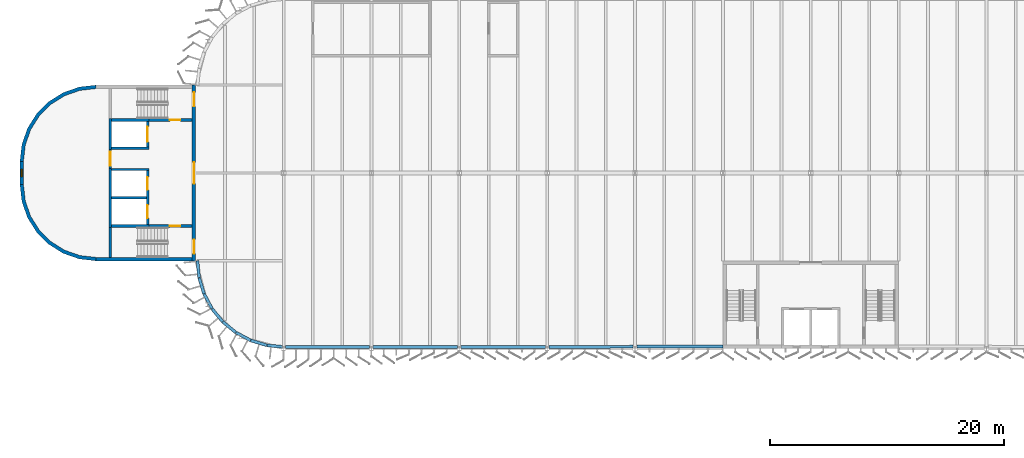
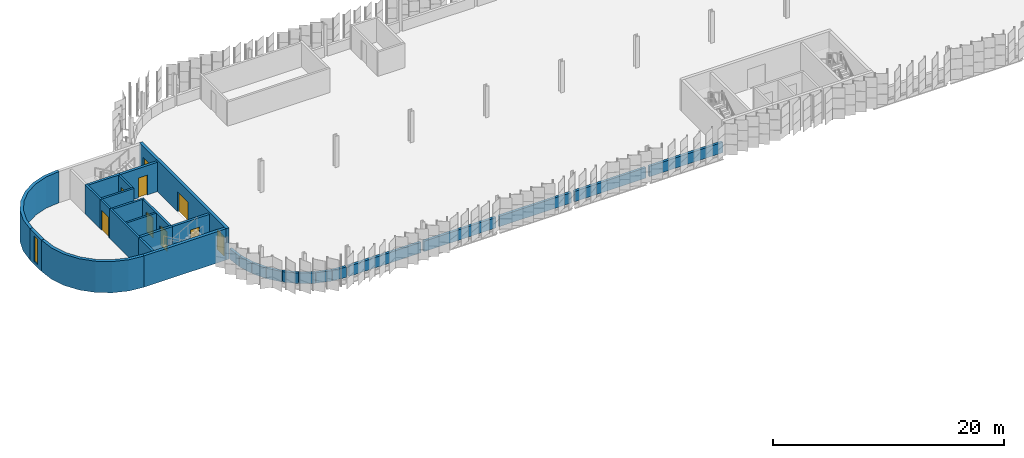
# One storey, part 56 of 199: 31 walls, 9 doors, 1 window, 10 openings.
"""IFC4 building model written with IfcOpenShell, lengths in metres."""

from ifc_helpers import new_model, si_unit, direction, frame, frame_2d, origin, place, context, subcontext, project, spatial, polyline, rectangle, outline, extrude, material, layer, layer_set, type_object, element, fill, save


model = new_model("IFC4")

# Units and contexts
model_context = context("Model", 3, precision=1e-05, world=origin(), true_north=direction((0.0, 1.0)))
body_context = subcontext(model_context, "Body", "Model", "MODEL_VIEW")
ifc_project = project(units=[si_unit("LENGTHUNIT", "METRE"), si_unit("AREAUNIT", "SQUARE_METRE"), si_unit("VOLUMEUNIT", "CUBIC_METRE"), si_unit("PLANEANGLEUNIT", "RADIAN"), si_unit("MASSUNIT", "GRAM", prefix="KILO")], contexts=[model_context])

# Site, building, storey
site_placement = place(None, origin())
site = spatial("IfcSite", under=ifc_project, at=site_placement, CompositionType="ELEMENT")
building_placement = place(site_placement, origin())
building = spatial("IfcBuilding", under=site, at=building_placement, Name="Parallax Yard Mobility Hub", CompositionType="ELEMENT")
storey_placement = place(building_placement, frame((0.0, 0.0, 9.89990234375)))
storey = spatial("IfcBuildingStorey", under=building, at=storey_placement, Name="L03", CompositionType="ELEMENT", Elevation=9.89990234375)

# Wall, openings, doors
ifc_material_1 = material(Name="Concrete fc' 35 MPa", Category="concrete")
ifc_layer_1 = layer(ifc_material_1, 0.300048828125)
ifc_layer_set_1 = layer_set([ifc_layer_1], Name="Concrete fc' 35 MPa core wall 300")
wall_type_1 = type_object("IfcWallType", Name="Concrete fc' 35 MPa core wall 300", PredefinedType="SHEAR", material=ifc_layer_set_1)
wall_1_placement = place(storey_placement, frame((22.35009765625, 135.0, 0.0), z_axis=(0.0, 0.0, 1.0), x_axis=(0.0, -1.0, 0.0)))
wall_1 = element("IfcWall", 1, at=wall_1_placement, inside=storey, type_object=wall_type_1, Name="Core C-W entry wall level L03", PredefinedType="SHEAR", context=body_context, shape_type="SweptSolid", body=[
    extrude(rectangle(XDim=15.0, YDim=0.300048828125, at=frame_2d((7.5, 0.0))), origin(), (0.0, 0.0, 1.0), 3.300048828125),
])
opening_1_placement = place(wall_1_placement, frame((13.179931640625, 0.0, 0.0)))
opening_1 = element("IfcOpeningElement", 2, at=opening_1_placement, cuts=wall_1, Name="Opening L03-D700", PredefinedType="OPENING", context=body_context, shape_type="SweptSolid", body=[
    extrude(rectangle(XDim=1.199951171875, YDim=2.10009765625, at=frame_2d((0.60009765625, 1.050048828125))), frame((0.0, 0.16015625, 0.0), z_axis=(0.0, -1.0, 0.0), x_axis=(1.0, 0.0, 0.0)), (0.0, 0.0, 1.0), 0.320068359375),
])
opening_2_placement = place(wall_1_placement, frame((0.6201171875, 0.0, 0.0)))
opening_2 = element("IfcOpeningElement", 3, at=opening_2_placement, cuts=wall_1, Name="Opening L03-D701", PredefinedType="OPENING", context=body_context, shape_type="SweptSolid", body=[
    extrude(rectangle(XDim=1.199951171875, YDim=2.10009765625, at=frame_2d((0.60009765625, 1.050048828125))), frame((0.0, 0.16015625, 0.0), z_axis=(0.0, -1.0, 0.0), x_axis=(1.0, 0.0, 0.0)), (0.0, 0.0, 1.0), 0.320068359375),
])
opening_3_placement = place(wall_1_placement, frame((6.60009765625, 0.0, 0.0)))
opening_3 = element("IfcOpeningElement", 4, at=opening_3_placement, cuts=wall_1, Name="Opening L03-D702", PredefinedType="OPENING", context=body_context, shape_type="SweptSolid", body=[
    extrude(rectangle(XDim=1.800048828125, YDim=2.10009765625, at=frame_2d((0.89990234375, 1.050048828125))), frame((0.0, 0.16015625, 0.0), z_axis=(0.0, -1.0, 0.0), x_axis=(1.0, 0.0, 0.0)), (0.0, 0.0, 1.0), 0.320068359375),
])
ifc_material_2 = material(Name="Hollow metal steel door and frame", Category="steel")
door_type_1 = type_object("IfcDoorType", Name="Core door 1200 x 2100 FD90", OperationType="NOTDEFINED", PredefinedType="DOOR", material=ifc_material_2)
door_1_placement = place(opening_1_placement, origin())
door_1 = element("IfcDoor", 5, at=door_1_placement, inside=storey, type_object=door_type_1, Name="Stair deck door L03-D700, core C-W level L03", OperationType="SINGLE_SWING_RIGHT", OverallHeight=2.10009765625, OverallWidth=1.199951171875, PredefinedType="DOOR", context=body_context, shape_type="SweptSolid", body=[
    extrude(rectangle(XDim=1.199951171875, YDim=2.10009765625, at=frame_2d((0.60009765625, 1.050048828125))), frame((0.0, 0.02490234375, 0.0), z_axis=(0.0, -1.0, 0.0), x_axis=(1.0, 0.0, 0.0)), (0.0, 0.0, 1.0), 0.050048828125),
])
fill(opening_1, door_1)
door_2_placement = place(opening_2_placement, origin())
door_2 = element("IfcDoor", 6, at=door_2_placement, inside=storey, type_object=door_type_1, Name="Stair deck door L03-D701, core C-W level L03", OperationType="SINGLE_SWING_LEFT", OverallHeight=2.10009765625, OverallWidth=1.199951171875, PredefinedType="DOOR", context=body_context, shape_type="SweptSolid", body=[
    extrude(rectangle(XDim=1.199951171875, YDim=2.10009765625, at=frame_2d((0.60009765625, 1.050048828125))), frame((0.0, 0.02490234375, 0.0), z_axis=(0.0, -1.0, 0.0), x_axis=(1.0, 0.0, 0.0)), (0.0, 0.0, 1.0), 0.050048828125),
])
fill(opening_2, door_2)
door_type_2 = type_object("IfcDoorType", Name="Core double door 1800 x 2100 FD90", OperationType="NOTDEFINED", PredefinedType="DOOR", material=ifc_material_2)
door_3_placement = place(opening_3_placement, origin())
door_3 = element("IfcDoor", 7, at=door_3_placement, inside=storey, type_object=door_type_2, Name="Lift lobby door L03-D702, core C-W level L03", OperationType="DOUBLE_DOOR_SINGLE_SWING", OverallHeight=2.10009765625, OverallWidth=1.800048828125, PredefinedType="DOOR", context=body_context, shape_type="SweptSolid", body=[
    extrude(rectangle(XDim=1.800048828125, YDim=2.10009765625, at=frame_2d((0.89990234375, 1.050048828125))), frame((0.0, 0.02490234375, 0.0), z_axis=(0.0, -1.0, 0.0), x_axis=(1.0, 0.0, 0.0)), (0.0, 0.0, 1.0), 0.050048828125),
])
fill(opening_3, door_3)

# Wall, opening, window
wall_2_placement = place(storey_placement, frame((7.64990234375, 126.5, 0.0), z_axis=(0.0, 0.0, 1.0), x_axis=(0.0, 1.0, 0.0)))
wall_2 = element("IfcWall", 8, at=wall_2_placement, inside=storey, type_object=wall_type_1, Name="Core C-W back wall level L03", PredefinedType="SHEAR", context=body_context, shape_type="SweptSolid", body=[
    extrude(rectangle(XDim=2.0, YDim=0.300048828125, at=frame_2d((1.0, 0.0))), origin(), (0.0, 0.0, 1.0), 3.300048828125),
])
opening_4_placement = place(wall_2_placement, frame((0.699951171875, 0.0, 0.300048828125)))
opening_4 = element("IfcOpeningElement", 9, at=opening_4_placement, cuts=wall_2, Name="Opening CW-S1", PredefinedType="OPENING", context=body_context, shape_type="SweptSolid", body=[
    extrude(rectangle(XDim=0.60009765625, YDim=2.699951171875, at=frame_2d((0.300048828125, 1.35009765625))), frame((0.0, 0.16015625, 0.0), z_axis=(0.0, -1.0, 0.0), x_axis=(1.0, 0.0, 0.0)), (0.0, 0.0, 1.0), 0.320068359375),
])
ifc_material_3 = material(Name="Fire-resisting glazing in a steel frame", Category="steel")
window_type = type_object("IfcWindowType", Name="Core slot window 600 x 2700", PartitioningType="SINGLE_PANEL", PredefinedType="WINDOW", material=ifc_material_3)
window_placement = place(opening_4_placement, origin())
window = element("IfcWindow", 10, at=window_placement, inside=storey, type_object=window_type, Name="Glazed slot 1, core C-W level L03", OverallHeight=2.699951171875, OverallWidth=0.60009765625, PartitioningType="SINGLE_PANEL", PredefinedType="WINDOW", context=body_context, shape_type="SweptSolid", body=[
    extrude(rectangle(XDim=0.60009765625, YDim=2.699951171875, at=frame_2d((0.300048828125, 1.35009765625))), frame((0.0, 0.030029296875, 0.0), z_axis=(0.0, -1.0, 0.0), x_axis=(1.0, 0.0, 0.0)), (0.0, 0.0, 1.0), 0.06005859375),
])
fill(opening_4, window)

# Walls
wall_3_placement = place(storey_placement, frame((22.199951171875, 120.14990234375, 0.0), z_axis=(0.0, 0.0, 1.0), x_axis=(-1.0, 0.0, 0.0)))
element("IfcWall", 11, at=wall_3_placement, inside=storey, type_object=wall_type_1, Name="Core C-W west-side end wall level L03", PredefinedType="SHEAR", context=body_context, shape_type="SweptSolid", body=[
    extrude(rectangle(XDim=8.199951171875, YDim=0.300048828125, at=frame_2d((4.10009765625, 0.0))), origin(), (0.0, 0.0, 1.0), 3.300048828125),
])
wall_4_placement = place(storey_placement, origin())
element("IfcWall", 12, at=wall_4_placement, inside=storey, type_object=wall_type_1, Name="Core C-W rounded corner west level L03", PredefinedType="SHEAR", context=body_context, shape_type="SweptSolid", body=[
    extrude(outline(polyline([(14.0, 120.0), (12.5537109375, 120.1630859375), (11.1796875, 120.643798828125), (9.947265625, 121.418212890625), (8.918212890625, 122.447265625), (8.143798828125, 123.6796875), (7.6630859375, 125.0537109375), (7.5, 126.5), (7.800048828125, 126.5), (7.955322265625, 125.120361328125), (8.4140625, 123.809814453125), (9.152587890625, 122.634521484375), (10.134521484375, 121.652587890625), (11.309814453125, 120.9140625), (12.620361328125, 120.455322265625), (14.0, 120.300048828125), (14.0, 120.0)])), origin(), (0.0, 0.0, 1.0), 3.300048828125),
])
wall_5_placement = place(storey_placement, origin())
element("IfcWall", 13, at=wall_5_placement, inside=storey, type_object=wall_type_1, Name="Core C-W rounded corner east level L03", PredefinedType="SHEAR", context=body_context, shape_type="SweptSolid", body=[
    extrude(outline(polyline([(14.0, 135.0), (12.5537109375, 134.8369140625), (11.1796875, 134.356201171875), (9.947265625, 133.581787109375), (8.918212890625, 132.552734375), (8.143798828125, 131.3203125), (7.6630859375, 129.9462890625), (7.5, 128.5), (7.800048828125, 128.5), (7.955322265625, 129.879638671875), (8.4140625, 131.190185546875), (9.152587890625, 132.365478515625), (10.134521484375, 133.347412109375), (11.309814453125, 134.0859375), (12.620361328125, 134.544677734375), (14.0, 134.699951171875), (14.0, 135.0)])), origin(), (0.0, 0.0, 1.0), 3.300048828125),
])

# Wall, openings, doors
ifc_layer_2 = layer(ifc_material_1, 0.199951171875)
ifc_layer_set_2 = layer_set([ifc_layer_2], Name="Concrete fc' 35 MPa internal core wall 200")
wall_type_2 = type_object("IfcWallType", Name="Concrete fc' 35 MPa internal core wall 200", PredefinedType="STANDARD", material=ifc_layer_set_2)
wall_6_placement = place(storey_placement, frame((18.39990234375, 123.10009765625, 0.0), z_axis=(0.0, 0.0, 1.0), x_axis=(0.0, 1.0, 0.0)))
wall_6 = element("IfcWall", 14, at=wall_6_placement, inside=storey, type_object=wall_type_2, Name="Core C-W lift front 1 part 1 level L03", PredefinedType="STANDARD", context=body_context, shape_type="SweptSolid", body=[
    extrude(rectangle(XDim=4.599853515625, YDim=0.199951171875, at=frame_2d((2.2998046875, 0.0))), origin(), (0.0, 0.0, 1.0), 3.10009765625),
])
opening_5_placement = place(wall_6_placement, frame((0.550048828125, 0.0, 0.0)))
opening_5 = element("IfcOpeningElement", 15, at=opening_5_placement, cuts=wall_6, Name="Opening L03-D705", PredefinedType="OPENING", context=body_context, shape_type="SweptSolid", body=[
    extrude(rectangle(XDim=1.10009765625, YDim=2.10009765625, at=frame_2d((0.550048828125, 1.050048828125))), frame((0.0, 0.10986328125, 0.0), z_axis=(0.0, -1.0, 0.0), x_axis=(1.0, 0.0, 0.0)), (0.0, 0.0, 1.0), 0.219970703125),
])
opening_6_placement = place(wall_6_placement, frame((2.949951171875, 0.0, 0.0)))
opening_6 = element("IfcOpeningElement", 16, at=opening_6_placement, cuts=wall_6, Name="Opening L03-D706", PredefinedType="OPENING", context=body_context, shape_type="SweptSolid", body=[
    extrude(rectangle(XDim=1.10009765625, YDim=2.10009765625, at=frame_2d((0.550048828125, 1.050048828125))), frame((0.0, 0.10986328125, 0.0), z_axis=(0.0, -1.0, 0.0), x_axis=(1.0, 0.0, 0.0)), (0.0, 0.0, 1.0), 0.219970703125),
])
ifc_material_4 = material(Name="Stainless steel sliding door and frame", Category="steel")
door_type_3 = type_object("IfcDoorType", Name="Lift landing door 1100 x 2100 FD90", OperationType="DOUBLE_DOOR_SLIDING", PredefinedType="DOOR", material=ifc_material_4)
door_4_placement = place(opening_5_placement, origin())
door_4 = element("IfcDoor", 17, at=door_4_placement, inside=storey, type_object=door_type_3, Name="Lift landing door L03-D705, core C-W level L03", OperationType="DOUBLE_DOOR_SLIDING", OverallHeight=2.10009765625, OverallWidth=1.10009765625, PredefinedType="DOOR", context=body_context, shape_type="SweptSolid", body=[
    extrude(rectangle(XDim=1.10009765625, YDim=2.10009765625, at=frame_2d((0.550048828125, 1.050048828125))), frame((0.0, 0.02490234375, 0.0), z_axis=(0.0, -1.0, 0.0), x_axis=(1.0, 0.0, 0.0)), (0.0, 0.0, 1.0), 0.050048828125),
])
fill(opening_5, door_4)
door_5_placement = place(opening_6_placement, origin())
door_5 = element("IfcDoor", 18, at=door_5_placement, inside=storey, type_object=door_type_3, Name="Lift landing door L03-D706, core C-W level L03", OperationType="DOUBLE_DOOR_SLIDING", OverallHeight=2.10009765625, OverallWidth=1.10009765625, PredefinedType="DOOR", context=body_context, shape_type="SweptSolid", body=[
    extrude(rectangle(XDim=1.10009765625, YDim=2.10009765625, at=frame_2d((0.550048828125, 1.050048828125))), frame((0.0, 0.02490234375, 0.0), z_axis=(0.0, -1.0, 0.0), x_axis=(1.0, 0.0, 0.0)), (0.0, 0.0, 1.0), 0.050048828125),
])
fill(opening_6, door_5)

# Wall, opening, door
wall_7_placement = place(storey_placement, frame((18.39990234375, 129.699951171875, 0.0), z_axis=(0.0, 0.0, 1.0), x_axis=(0.0, 1.0, 0.0)))
wall_7 = element("IfcWall", 19, at=wall_7_placement, inside=storey, type_object=wall_type_2, Name="Core C-W lift front 2 part 2 level L03", PredefinedType="STANDARD", context=body_context, shape_type="SweptSolid", body=[
    extrude(rectangle(XDim=2.199951171875, YDim=0.199951171875, at=frame_2d((1.10009765625, 0.0))), origin(), (0.0, 0.0, 1.0), 3.10009765625),
])
opening_7_placement = place(wall_7_placement, frame((0.449951171875, 0.0, 0.0)))
opening_7 = element("IfcOpeningElement", 20, at=opening_7_placement, cuts=wall_7, Name="Opening L03-D707", PredefinedType="OPENING", context=body_context, shape_type="SweptSolid", body=[
    extrude(rectangle(XDim=1.300048828125, YDim=2.10009765625, at=frame_2d((0.64990234375, 1.050048828125))), frame((0.0, 0.10986328125, 0.0), z_axis=(0.0, -1.0, 0.0), x_axis=(1.0, 0.0, 0.0)), (0.0, 0.0, 1.0), 0.219970703125),
])
door_type_4 = type_object("IfcDoorType", Name="Goods lift landing door 1300 x 2100 FD90", OperationType="DOUBLE_DOOR_SLIDING", PredefinedType="DOOR", material=ifc_material_4)
door_6_placement = place(opening_7_placement, origin())
door_6 = element("IfcDoor", 21, at=door_6_placement, inside=storey, type_object=door_type_4, Name="Lift landing door L03-D707, core C-W level L03", OperationType="DOUBLE_DOOR_SLIDING", OverallHeight=2.10009765625, OverallWidth=1.300048828125, PredefinedType="DOOR", context=body_context, shape_type="SweptSolid", body=[
    extrude(rectangle(XDim=1.300048828125, YDim=2.10009765625, at=frame_2d((0.64990234375, 1.050048828125))), frame((0.0, 0.02490234375, 0.0), z_axis=(0.0, -1.0, 0.0), x_axis=(1.0, 0.0, 0.0)), (0.0, 0.0, 1.0), 0.050048828125),
])
fill(opening_7, door_6)

# Walls
wall_8_placement = place(storey_placement, frame((18.300048828125, 125.39990234375, 0.0), z_axis=(0.0, 0.0, 1.0), x_axis=(-1.0, 0.0, 0.0)))
element("IfcWall", 22, at=wall_8_placement, inside=storey, type_object=wall_type_2, Name="Core C-W lift wall 1 part 1 level L03", PredefinedType="STANDARD", context=body_context, shape_type="SweptSolid", body=[
    extrude(rectangle(XDim=3.0, YDim=0.199951171875, at=frame_2d((1.5, 0.0))), origin(), (0.0, 0.0, 1.0), 3.10009765625),
])
for number, where, z_axis, x_axis, name in (
    (23, (18.5, 127.800048828125, 0.0), (0.0, 0.0, 1.0), (-1.0, 0.0, 0.0), "Core C-W lift wall 2 part 2 level L03"),
    (24, (18.5, 129.60009765625, 0.0), (0.0, 0.0, 1.0), (-1.0, 0.0, 0.0), "Core C-W lift wall 3 part 3 level L03"),
):
    element("IfcWall", number, at=place(storey_placement, frame(where, z_axis=z_axis, x_axis=x_axis)), inside=storey, type_object=wall_type_2, Name=name, PredefinedType="STANDARD", context=body_context, shape_type="SweptSolid", body=[
        extrude(rectangle(XDim=3.199951171875, YDim=0.199951171875, at=frame_2d((1.60009765625, 0.0))), origin(), (0.0, 0.0, 1.0), 3.10009765625),
    ])
wall_9_placement = place(storey_placement, frame((15.199951171875, 120.300048828125, 0.0), z_axis=(0.0, 0.0, 1.0), x_axis=(0.0, 1.0, 0.0)))
element("IfcWall", 25, at=wall_9_placement, inside=storey, type_object=wall_type_2, Name="Core C-W plant wall 1 part 1 level L03", PredefinedType="STANDARD", context=body_context, shape_type="SweptSolid", body=[
    extrude(rectangle(XDim=2.550048828125, YDim=0.199951171875, at=frame_2d((1.27490234375, 0.0))), origin(), (0.0, 0.0, 1.0), 3.10009765625),
])
wall_10_placement = place(storey_placement, frame((15.199951171875, 122.85009765625, 0.0), z_axis=(0.0, 0.0, 1.0), x_axis=(0.0, 1.0, 0.0)))
element("IfcWall", 26, at=wall_10_placement, inside=storey, type_object=wall_type_2, Name="Core C-W plant wall 2 part 2 level L03", PredefinedType="STANDARD", context=body_context, shape_type="SweptSolid", body=[
    extrude(rectangle(XDim=5.0498046875, YDim=0.199951171875, at=frame_2d((2.52490234375, 0.0))), origin(), (0.0, 0.0, 1.0), 3.10009765625),
])

# Wall, opening, door
wall_11_placement = place(storey_placement, frame((15.199951171875, 127.89990234375, 0.0), z_axis=(0.0, 0.0, 1.0), x_axis=(0.0, 1.0, 0.0)))
wall_11 = element("IfcWall", 27, at=wall_11_placement, inside=storey, type_object=wall_type_2, Name="Core C-W plant wall 3 part 3 level L03", PredefinedType="STANDARD", context=body_context, shape_type="SweptSolid", body=[
    extrude(rectangle(XDim=1.60009765625, YDim=0.199951171875, at=frame_2d((0.800048828125, 0.0))), origin(), (0.0, 0.0, 1.0), 3.10009765625),
])
opening_8_placement = place(wall_11_placement, frame((0.199951171875, 0.0, 0.0)))
opening_8 = element("IfcOpeningElement", 28, at=opening_8_placement, cuts=wall_11, Name="Opening L03-D708", PredefinedType="OPENING", context=body_context, shape_type="SweptSolid", body=[
    extrude(rectangle(XDim=1.199951171875, YDim=2.10009765625, at=frame_2d((0.60009765625, 1.050048828125))), frame((0.0, 0.10986328125, 0.0), z_axis=(0.0, -1.0, 0.0), x_axis=(1.0, 0.0, 0.0)), (0.0, 0.0, 1.0), 0.219970703125),
])
door_7_placement = place(opening_8_placement, origin())
door_7 = element("IfcDoor", 29, at=door_7_placement, inside=storey, type_object=door_type_1, Name="Plant room door L03-D708, core C-W level L03", OperationType="SINGLE_SWING_RIGHT", OverallHeight=2.10009765625, OverallWidth=1.199951171875, PredefinedType="DOOR", context=body_context, shape_type="SweptSolid", body=[
    extrude(rectangle(XDim=1.199951171875, YDim=2.10009765625, at=frame_2d((0.60009765625, 1.050048828125))), frame((0.0, 0.02490234375, 0.0), z_axis=(0.0, -1.0, 0.0), x_axis=(1.0, 0.0, 0.0)), (0.0, 0.0, 1.0), 0.050048828125),
])
fill(opening_8, door_7)

# Wall
wall_12_placement = place(storey_placement, frame((15.199951171875, 129.5, 0.0), z_axis=(0.0, 0.0, 1.0), x_axis=(0.0, 1.0, 0.0)))
element("IfcWall", 30, at=wall_12_placement, inside=storey, type_object=wall_type_2, Name="Core C-W plant wall 4 part 4 level L03", PredefinedType="STANDARD", context=body_context, shape_type="SweptSolid", body=[
    extrude(rectangle(XDim=2.64990234375, YDim=0.199951171875, at=frame_2d((1.324951171875, 0.0))), origin(), (0.0, 0.0, 1.0), 3.10009765625),
])

# Wall, opening, door
ifc_layer_3 = layer(ifc_material_1, 0.25)
ifc_layer_set_3 = layer_set([ifc_layer_3], Name="Concrete fc' 35 MPa stair enclosure wall 250")
wall_type_3 = type_object("IfcWallType", Name="Concrete fc' 35 MPa stair enclosure wall 250", PredefinedType="STANDARD", material=ifc_layer_set_3)
wall_13_placement = place(storey_placement, frame((22.199951171875, 122.97509765625, 0.0), z_axis=(0.0, 0.0, 1.0), x_axis=(-1.0, 0.0, 0.0)))
wall_13 = element("IfcWall", 31, at=wall_13_placement, inside=storey, type_object=wall_type_3, Name="Core C-W stair 1 partition 1 part 1 level L03", PredefinedType="STANDARD", context=body_context, shape_type="SweptSolid", body=[
    extrude(rectangle(XDim=3.699951171875, YDim=0.25, at=frame_2d((1.85009765625, 0.0))), origin(), (0.0, 0.0, 1.0), 3.10009765625),
])
opening_9_placement = place(wall_13_placement, frame((1.0, 0.0, 0.0)))
opening_9 = element("IfcOpeningElement", 32, at=opening_9_placement, cuts=wall_13, Name="Opening L03-D703", PredefinedType="OPENING", context=body_context, shape_type="SweptSolid", body=[
    extrude(rectangle(XDim=0.89990234375, YDim=2.10009765625, at=frame_2d((0.449951171875, 1.050048828125))), frame((0.0, 0.135009765625, 0.0), z_axis=(0.0, -1.0, 0.0), x_axis=(1.0, 0.0, 0.0)), (0.0, 0.0, 1.0), 0.27001953125),
])
door_type_5 = type_object("IfcDoorType", Name="Core door 900 x 2100 FD90", OperationType="NOTDEFINED", PredefinedType="DOOR", material=ifc_material_2)
door_8_placement = place(opening_9_placement, origin())
door_8 = element("IfcDoor", 33, at=door_8_placement, inside=storey, type_object=door_type_5, Name="Stair lobby door L03-D703, core C-W level L03", OperationType="SINGLE_SWING_LEFT", OverallHeight=2.10009765625, OverallWidth=0.89990234375, PredefinedType="DOOR", context=body_context, shape_type="SweptSolid", body=[
    extrude(rectangle(XDim=0.89990234375, YDim=2.10009765625, at=frame_2d((0.449951171875, 1.050048828125))), frame((0.0, 0.02490234375, 0.0), z_axis=(0.0, -1.0, 0.0), x_axis=(1.0, 0.0, 0.0)), (0.0, 0.0, 1.0), 0.050048828125),
])
fill(opening_9, door_8)

# Wall
wall_14_placement = place(storey_placement, frame((18.5, 122.97509765625, 0.0), z_axis=(0.0, 0.0, 1.0), x_axis=(-1.0, 0.0, 0.0)))
element("IfcWall", 34, at=wall_14_placement, inside=storey, type_object=wall_type_3, Name="Core C-W stair 1 partition 2 part 2 level L03", PredefinedType="STANDARD", context=body_context, shape_type="SweptSolid", body=[
    extrude(rectangle(XDim=3.199951171875, YDim=0.25, at=frame_2d((1.60009765625, 0.0))), origin(), (0.0, 0.0, 1.0), 3.10009765625),
])

# Wall, opening, door
wall_15_placement = place(storey_placement, frame((18.5, 132.02490234375, 0.0), z_axis=(0.0, 0.0, 1.0), x_axis=(1.0, 0.0, 0.0)))
wall_15 = element("IfcWall", 35, at=wall_15_placement, inside=storey, type_object=wall_type_3, Name="Core C-W stair 2 partition 1 part 1 level L03", PredefinedType="STANDARD", context=body_context, shape_type="SweptSolid", body=[
    extrude(rectangle(XDim=3.699951171875, YDim=0.25, at=frame_2d((1.85009765625, 0.0))), origin(), (0.0, 0.0, 1.0), 3.10009765625),
])
opening_10_placement = place(wall_15_placement, frame((1.800048828125, 0.0, 0.0)))
opening_10 = element("IfcOpeningElement", 36, at=opening_10_placement, cuts=wall_15, Name="Opening L03-D704", PredefinedType="OPENING", context=body_context, shape_type="SweptSolid", body=[
    extrude(rectangle(XDim=0.89990234375, YDim=2.10009765625, at=frame_2d((0.449951171875, 1.050048828125))), frame((0.0, 0.135009765625, 0.0), z_axis=(0.0, -1.0, 0.0), x_axis=(1.0, 0.0, 0.0)), (0.0, 0.0, 1.0), 0.27001953125),
])
door_9_placement = place(opening_10_placement, origin())
door_9 = element("IfcDoor", 37, at=door_9_placement, inside=storey, type_object=door_type_5, Name="Stair lobby door L03-D704, core C-W level L03", OperationType="SINGLE_SWING_RIGHT", OverallHeight=2.10009765625, OverallWidth=0.89990234375, PredefinedType="DOOR", context=body_context, shape_type="SweptSolid", body=[
    extrude(rectangle(XDim=0.89990234375, YDim=2.10009765625, at=frame_2d((0.449951171875, 1.050048828125))), frame((0.0, 0.02490234375, 0.0), z_axis=(0.0, -1.0, 0.0), x_axis=(1.0, 0.0, 0.0)), (0.0, 0.0, 1.0), 0.050048828125),
])
fill(opening_10, door_9)

# Walls
wall_16_placement = place(storey_placement, frame((18.5, 132.02490234375, 0.0), z_axis=(0.0, 0.0, 1.0), x_axis=(-1.0, 0.0, 0.0)))
element("IfcWall", 38, at=wall_16_placement, inside=storey, type_object=wall_type_3, Name="Core C-W stair 2 partition 2 part 2 level L03", PredefinedType="STANDARD", context=body_context, shape_type="SweptSolid", body=[
    extrude(rectangle(XDim=3.199951171875, YDim=0.25, at=frame_2d((1.60009765625, 0.0))), origin(), (0.0, 0.0, 1.0), 3.10009765625),
])
ifc_layer_4 = layer(ifc_material_1, 0.25)
ifc_layer_set_4 = layer_set([ifc_layer_4], Name="Deck-edge barrier wall, Concrete fc' 35 MPa precast, 250")
wall_type_4 = type_object("IfcWallType", Name="Deck-edge barrier wall, Concrete fc' 35 MPa precast, 250", PredefinedType="SOLIDWALL", material=ifc_layer_set_4)
wall_17_placement = place(storey_placement, frame((30.152587890625, 112.648681640625, 0.0), z_axis=(0.0, 0.0, 1.0), x_axis=(0.999999917119, -0.000407138461, 0.0)))
element("IfcWall", 39, at=wall_17_placement, inside=storey, type_object=wall_type_4, Name="Deck-edge barrier wall bay 1 level L03", PredefinedType="SOLIDWALL", context=body_context, shape_type="SweptSolid", body=[
    extrude(rectangle(XDim=7.19580078125, YDim=0.25, at=frame_2d((3.597900390625, 0.0))), origin(), (0.0, 0.0, 1.0), 1.10009765625),
])
for number, where, z_axis, x_axis, name in (
    (40, (37.651611328125, 112.645751953125, 0.0), (0.0, 0.0, 1.0), (1.0, 0.0, 0.0), "Deck-edge barrier wall bay 2 level L03"),
    (41, (45.151611328125, 112.645751953125, 0.0), (0.0, 0.0, 1.0), (1.0, 0.0, 0.0), "Deck-edge barrier wall bay 3 level L03"),
):
    element("IfcWall", number, at=place(storey_placement, frame(where, z_axis=z_axis, x_axis=x_axis)), inside=storey, type_object=wall_type_4, Name=name, PredefinedType="SOLIDWALL", context=body_context, shape_type="SweptSolid", body=[
        extrude(rectangle(XDim=7.19677734375, YDim=0.25, at=frame_2d((3.598388671875, 0.0))), origin(), (0.0, 0.0, 1.0), 1.10009765625),
    ])
wall_18_placement = place(storey_placement, frame((52.651611328125, 112.645751953125, 0.0), z_axis=(0.0, 0.0, 1.0), x_axis=(0.999993224794, 0.003681082119, 0.0)))
element("IfcWall", 42, at=wall_18_placement, inside=storey, type_object=wall_type_4, Name="Deck-edge barrier wall bay 4 level L03", PredefinedType="SOLIDWALL", context=body_context, shape_type="SweptSolid", body=[
    extrude(rectangle(XDim=7.162841796875, YDim=0.25, at=frame_2d((3.58154296875, 0.0))), origin(), (0.0, 0.0, 1.0), 1.10009765625),
])
wall_19_placement = place(storey_placement, frame((60.185546875, 112.672119140625, 0.0), z_axis=(0.0, 0.0, 1.0), x_axis=(1.0, 0.0, 0.0)))
element("IfcWall", 43, at=wall_19_placement, inside=storey, type_object=wall_type_4, Name="Deck-edge barrier wall bay 5 level L03", PredefinedType="SOLIDWALL", context=body_context, shape_type="SweptSolid", body=[
    extrude(rectangle(XDim=7.3095703125, YDim=0.25, at=frame_2d((3.65478515625, 0.0))), origin(), (0.0, 0.0, 1.0), 1.10009765625),
])
wall_20_placement = place(storey_placement, frame((22.6484375, 120.009521484375, 0.0), z_axis=(0.0, 0.0, 1.0), x_axis=(0.098664443357, -0.995120760319, 0.0)))
element("IfcWall", 44, at=wall_20_placement, inside=storey, type_object=wall_type_4, Name="Deck-edge barrier wall bay 72-1 level L03", PredefinedType="SOLIDWALL", context=body_context, shape_type="SweptSolid", body=[
    extrude(rectangle(XDim=1.440185546875, YDim=0.25, at=frame_2d((0.72021484375, 0.0))), origin(), (0.0, 0.0, 1.0), 1.10009765625),
])
wall_21_placement = place(storey_placement, frame((22.796142578125, 118.547607421875, 0.0), z_axis=(0.0, 0.0, 1.0), x_axis=(0.29088617111, -0.956757668094, 0.0)))
element("IfcWall", 45, at=wall_21_placement, inside=storey, type_object=wall_type_4, Name="Deck-edge barrier wall bay 72-2 level L03", PredefinedType="SOLIDWALL", context=body_context, shape_type="SweptSolid", body=[
    extrude(rectangle(XDim=1.410888671875, YDim=0.25, at=frame_2d((0.70556640625, 0.0))), origin(), (0.0, 0.0, 1.0), 1.10009765625),
])
wall_22_placement = place(storey_placement, frame((23.2177734375, 117.170654296875, 0.0), z_axis=(0.0, 0.0, 1.0), x_axis=(0.471755514131, -0.881729400036, 0.0)))
element("IfcWall", 46, at=wall_22_placement, inside=storey, type_object=wall_type_4, Name="Deck-edge barrier wall bay 72-3 level L03", PredefinedType="SOLIDWALL", context=body_context, shape_type="SweptSolid", body=[
    extrude(rectangle(XDim=1.41064453125, YDim=0.25, at=frame_2d((0.705322265625, 0.0))), origin(), (0.0, 0.0, 1.0), 1.10009765625),
])
for number, where, z_axis, x_axis, name in (
    (47, (23.899658203125, 115.90234375, 0.0), (0.0, 0.0, 1.0), (0.634584414378, -0.772853557298, 0.0), "Deck-edge barrier wall bay 72-4 level L03"),
    (48, (24.815673828125, 114.79150390625, 0.0), (0.0, 0.0, 1.0), (0.773077721596, -0.634311308722, 0.0), "Deck-edge barrier wall bay 72-5 level L03"),
    (49, (25.930908203125, 113.88037109375, 0.0), (0.0, 0.0, 1.0), (0.882022197163, -0.471207856165, 0.0), "Deck-edge barrier wall bay 72-6 level L03"),
    (50, (27.202392578125, 113.204345703125, 0.0), (0.0, 0.0, 1.0), (0.956964711872, -0.290204307741, 0.0), "Deck-edge barrier wall bay 72-7 level L03"),
):
    element("IfcWall", number, at=place(storey_placement, frame(where, z_axis=z_axis, x_axis=x_axis)), inside=storey, type_object=wall_type_4, Name=name, PredefinedType="SOLIDWALL", context=body_context, shape_type="SweptSolid", body=[
        extrude(rectangle(XDim=1.410888671875, YDim=0.25, at=frame_2d((0.70556640625, 0.0))), origin(), (0.0, 0.0, 1.0), 1.10009765625),
    ])
wall_23_placement = place(storey_placement, frame((28.581298828125, 112.789306640625, 0.0), z_axis=(0.0, 0.0, 1.0), x_axis=(0.995176263333, -0.098103032051, 0.0)))
element("IfcWall", 51, at=wall_23_placement, inside=storey, type_object=wall_type_4, Name="Deck-edge barrier wall bay 72-8 level L03", PredefinedType="SOLIDWALL", context=body_context, shape_type="SweptSolid", body=[
    extrude(rectangle(XDim=1.328857421875, YDim=0.25, at=frame_2d((0.66455078125, 0.0))), origin(), (0.0, 0.0, 1.0), 1.10009765625),
])

save(model, "model.ifc")
